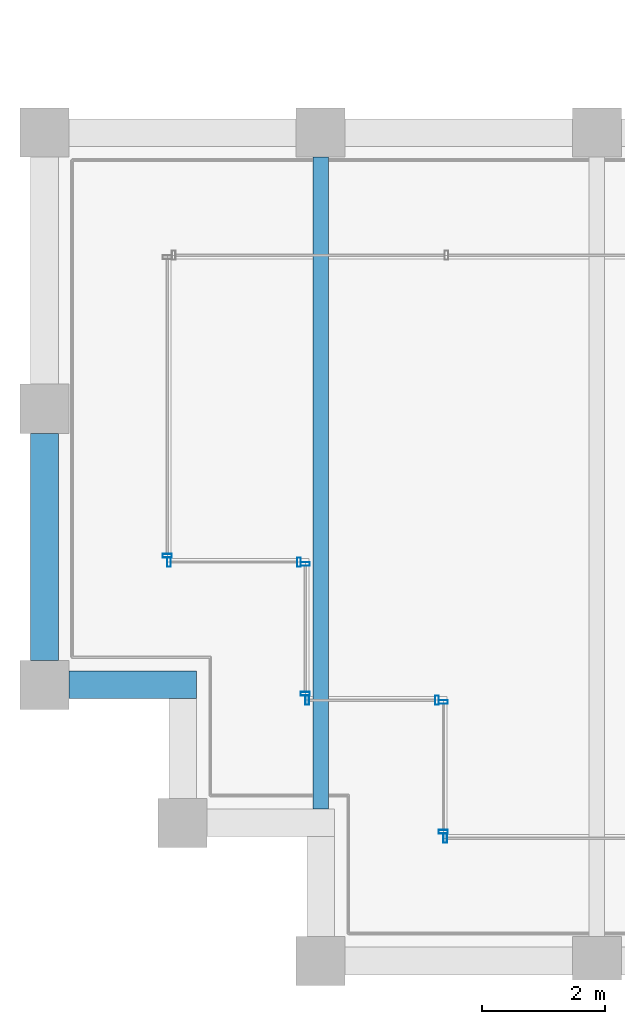
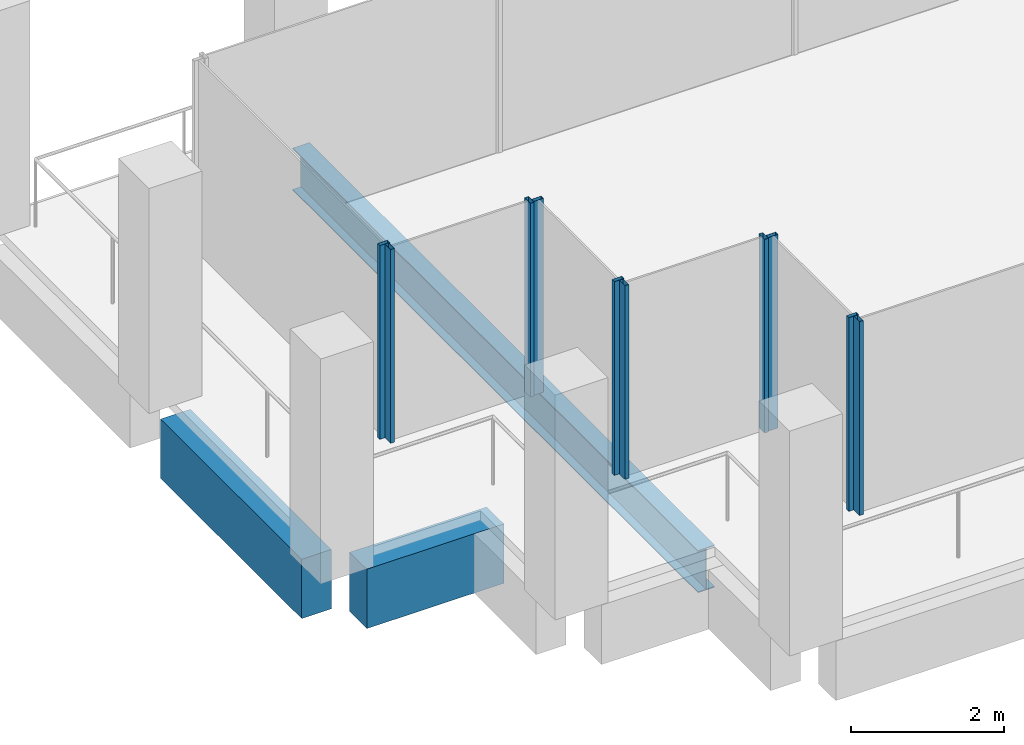
# One storey, part 2 of 30: 10 members, 3 beams, 6 elements without a shape of their own.
"""IFC4 building model written with IfcOpenShell, lengths in metres."""

from ifc_helpers import new_model, si_unit, direction, frame, origin, origin_2d, place, context, subcontext, project, spatial, rectangle, hollow_rectangle, i_section, extrude, material, material_profile, profile_set, type_object, element, aggregate, save


model = new_model("IFC4")

# Units and contexts
model_context = context("Model", 3, precision=1e-05, world=origin(), true_north=direction((0.0, 1.0)))
body_context = subcontext(model_context, "Body", "Model", "MODEL_VIEW")
ifc_project = project(units=[si_unit("LENGTHUNIT", "METRE"), si_unit("AREAUNIT", "SQUARE_METRE"), si_unit("VOLUMEUNIT", "CUBIC_METRE"), si_unit("PLANEANGLEUNIT", "RADIAN"), si_unit("MASSUNIT", "GRAM", prefix="KILO")], contexts=[model_context])

# Site, building, storey
site_placement = place(None, origin())
site = spatial("IfcSite", under=ifc_project, at=site_placement, CompositionType="ELEMENT")
building_placement = place(site_placement, origin())
building = spatial("IfcBuilding", under=site, at=building_placement, Name="Altepetl Exchange Towers", CompositionType="ELEMENT")
storey_placement = place(building_placement, frame((0.0, 0.0, 213.60009765625)))
storey = spatial("IfcBuildingStorey", under=building, at=storey_placement, Name="L54", CompositionType="ELEMENT", Elevation=213.60009765625)

# Beam
ifc_material_1 = material(Name="Steel S355", Category="steel")
ifc_material_profile_1 = material_profile(ifc_material_1, i_section(OverallWidth=0.2529296875, OverallDepth=0.677978515625, WebThickness=0.01171875, FlangeThickness=0.016357421875, at=origin_2d()), Name="W27X84")
ifc_profile_set_1 = profile_set([ifc_material_profile_1], Name="Steel S355")
beam_type_1 = type_object("IfcBeamType", Name="Floor beam W27X84", PredefinedType="BEAM", material=ifc_profile_set_1)
beam_1_placement = place(storey_placement, frame((31.5, 29.47509765625, -0.489013671875), z_axis=(0.0, 1.0, 0.0), x_axis=(-1.0, 0.0, 0.0)))
element("IfcBeam", 1, at=beam_1_placement, inside=storey, type_object=beam_type_1, Name="bm:A:L54:012", PredefinedType="BEAM", context=body_context, shape_type="SweptSolid", body=[
    extrude(i_section(OverallWidth=0.2529296875, OverallDepth=0.677978515625, WebThickness=0.01171875, FlangeThickness=0.016357421875, at=origin_2d()), origin(), (0.0, 0.0, 1.0), 10.625),
])

# Curtain wall, member
ifc_material_2 = material(Name="Aluminium 6063-T6 glazing", Category="aluminium")
curtain_wall_type = type_object("IfcCurtainWallType", Name="Loggia glazing system", PredefinedType="NOTDEFINED", material=ifc_material_2)
curtain_wall_1_placement = place(storey_placement, origin())
curtain_wall_1 = element("IfcCurtainWall", 2, at=curtain_wall_1_placement, inside=storey, type_object=curtain_wall_type, Name="CW1 run", PredefinedType="NOTDEFINED")
ifc_material_3 = material(Name="Aluminium 6063-T6", Category="aluminium")
ifc_material_profile_2 = material_profile(ifc_material_3, hollow_rectangle(XDim=0.06005859375, YDim=0.14990234375, WallThickness=0.0029296875, at=origin_2d()), Name="Mullion 60x150 aluminium")
ifc_profile_set_2 = profile_set([ifc_material_profile_2], Name="Aluminium 6063-T6")
member_type = type_object("IfcMemberType", Name="Mullion 60x150 aluminium", PredefinedType="MULLION", material=ifc_profile_set_2)
member_1_placement = place(storey_placement, frame((29.0, 33.60498046875, 0.0), z_axis=(0.0, 0.0, 1.0), x_axis=(0.0, -1.0, 0.0)))
member_1 = element("IfcMember", 3, at=member_1_placement, type_object=member_type, Name="MU1 mullion", PredefinedType="MULLION", context=body_context, shape_type="SweptSolid", body=[
    extrude(hollow_rectangle(XDim=0.06005859375, YDim=0.14990234375, WallThickness=0.0029296875, at=origin_2d()), origin(), (0.0, 0.0, 1.0), 3.099853515625),
])
aggregate(curtain_wall_1, [member_1])

# Curtain wall, members
curtain_wall_2_placement = place(storey_placement, origin())
curtain_wall_2 = element("IfcCurtainWall", 4, at=curtain_wall_2_placement, inside=storey, type_object=curtain_wall_type, Name="CW1 run", PredefinedType="NOTDEFINED")
member_2_placement = place(storey_placement, frame((29.030029296875, 33.5, 0.0)))
member_2 = element("IfcMember", 5, at=member_2_placement, type_object=member_type, Name="MU1 mullion", PredefinedType="MULLION", context=body_context, shape_type="SweptSolid", body=[
    extrude(hollow_rectangle(XDim=0.06005859375, YDim=0.14990234375, WallThickness=0.0029296875, at=origin_2d()), origin(), (0.0, 0.0, 1.0), 3.099853515625),
])
member_3_placement = place(storey_placement, frame((31.14501953125, 33.5, 0.0)))
member_3 = element("IfcMember", 6, at=member_3_placement, type_object=member_type, Name="MU1 mullion", PredefinedType="MULLION", context=body_context, shape_type="SweptSolid", body=[
    extrude(hollow_rectangle(XDim=0.06005859375, YDim=0.14990234375, WallThickness=0.0029296875, at=origin_2d()), origin(), (0.0, 0.0, 1.0), 3.099853515625),
])
aggregate(curtain_wall_2, [member_2, member_3])

curtain_wall_3_placement = place(storey_placement, origin())
curtain_wall_3 = element("IfcCurtainWall", 7, at=curtain_wall_3_placement, inside=storey, type_object=curtain_wall_type, Name="CW1 run", PredefinedType="NOTDEFINED")
member_4_placement = place(storey_placement, frame((31.25, 33.469970703125, 0.0), z_axis=(0.0, 0.0, 1.0), x_axis=(0.0, -1.0, 0.0)))
member_4 = element("IfcMember", 8, at=member_4_placement, type_object=member_type, Name="MU1 mullion", PredefinedType="MULLION", context=body_context, shape_type="SweptSolid", body=[
    extrude(hollow_rectangle(XDim=0.06005859375, YDim=0.14990234375, WallThickness=0.0029296875, at=origin_2d()), origin(), (0.0, 0.0, 1.0), 3.099853515625),
])
member_5_placement = place(storey_placement, frame((31.25, 31.35498046875, 0.0), z_axis=(0.0, 0.0, 1.0), x_axis=(0.0, -1.0, 0.0)))
member_5 = element("IfcMember", 9, at=member_5_placement, type_object=member_type, Name="MU1 mullion", PredefinedType="MULLION", context=body_context, shape_type="SweptSolid", body=[
    extrude(hollow_rectangle(XDim=0.06005859375, YDim=0.14990234375, WallThickness=0.0029296875, at=origin_2d()), origin(), (0.0, 0.0, 1.0), 3.099853515625),
])
aggregate(curtain_wall_3, [member_4, member_5])

curtain_wall_4_placement = place(storey_placement, origin())
curtain_wall_4 = element("IfcCurtainWall", 10, at=curtain_wall_4_placement, inside=storey, type_object=curtain_wall_type, Name="CW1 run", PredefinedType="NOTDEFINED")
member_6_placement = place(storey_placement, frame((31.280029296875, 31.25, 0.0)))
member_6 = element("IfcMember", 11, at=member_6_placement, type_object=member_type, Name="MU1 mullion", PredefinedType="MULLION", context=body_context, shape_type="SweptSolid", body=[
    extrude(hollow_rectangle(XDim=0.06005859375, YDim=0.14990234375, WallThickness=0.0029296875, at=origin_2d()), origin(), (0.0, 0.0, 1.0), 3.099853515625),
])
member_7_placement = place(storey_placement, frame((33.39501953125, 31.25, 0.0)))
member_7 = element("IfcMember", 12, at=member_7_placement, type_object=member_type, Name="MU1 mullion", PredefinedType="MULLION", context=body_context, shape_type="SweptSolid", body=[
    extrude(hollow_rectangle(XDim=0.06005859375, YDim=0.14990234375, WallThickness=0.0029296875, at=origin_2d()), origin(), (0.0, 0.0, 1.0), 3.099853515625),
])
aggregate(curtain_wall_4, [member_6, member_7])

curtain_wall_5_placement = place(storey_placement, origin())
curtain_wall_5 = element("IfcCurtainWall", 13, at=curtain_wall_5_placement, inside=storey, type_object=curtain_wall_type, Name="CW1 run", PredefinedType="NOTDEFINED")
member_8_placement = place(storey_placement, frame((33.5, 31.219970703125, 0.0), z_axis=(0.0, 0.0, 1.0), x_axis=(0.0, -1.0, 0.0)))
member_8 = element("IfcMember", 14, at=member_8_placement, type_object=member_type, Name="MU1 mullion", PredefinedType="MULLION", context=body_context, shape_type="SweptSolid", body=[
    extrude(hollow_rectangle(XDim=0.06005859375, YDim=0.14990234375, WallThickness=0.0029296875, at=origin_2d()), origin(), (0.0, 0.0, 1.0), 3.099853515625),
])
member_9_placement = place(storey_placement, frame((33.5, 29.10498046875, 0.0), z_axis=(0.0, 0.0, 1.0), x_axis=(0.0, -1.0, 0.0)))
member_9 = element("IfcMember", 15, at=member_9_placement, type_object=member_type, Name="MU1 mullion", PredefinedType="MULLION", context=body_context, shape_type="SweptSolid", body=[
    extrude(hollow_rectangle(XDim=0.06005859375, YDim=0.14990234375, WallThickness=0.0029296875, at=origin_2d()), origin(), (0.0, 0.0, 1.0), 3.099853515625),
])
aggregate(curtain_wall_5, [member_8, member_9])

# Curtain wall, member
curtain_wall_6_placement = place(storey_placement, origin())
curtain_wall_6 = element("IfcCurtainWall", 16, at=curtain_wall_6_placement, inside=storey, type_object=curtain_wall_type, Name="CW1 run", PredefinedType="NOTDEFINED")
member_10_placement = place(storey_placement, frame((33.530029296875, 29.0, 0.0)))
member_10 = element("IfcMember", 17, at=member_10_placement, type_object=member_type, Name="MU1 mullion", PredefinedType="MULLION", context=body_context, shape_type="SweptSolid", body=[
    extrude(hollow_rectangle(XDim=0.06005859375, YDim=0.14990234375, WallThickness=0.0029296875, at=origin_2d()), origin(), (0.0, 0.0, 1.0), 3.099853515625),
])
aggregate(curtain_wall_6, [member_10])

# Beams
ifc_material_4 = material(Name="Concrete C50/60 precast with cantera blanca facing", Category="concrete")
ifc_material_profile_3 = material_profile(ifc_material_4, rectangle(XDim=0.449951171875, YDim=0.949951171875, at=origin_2d()), Name="450 x 950")
ifc_profile_set_3 = profile_set([ifc_material_profile_3], Name="Concrete C50/60 precast with cantera blanca facing")
beam_type_2 = type_object("IfcBeamType", Name="Spandrel beam 450x950 cantera blanca", PredefinedType="SPANDREL", material=ifc_profile_set_3)
beam_2_placement = place(storey_placement, frame((27.0, 35.60009765625, -0.625), z_axis=(0.0, -1.0, 0.0), x_axis=(1.0, 0.0, 0.0)))
element("IfcBeam", 18, at=beam_2_placement, inside=storey, type_object=beam_type_2, Name="sp:A:L54:037", PredefinedType="SPANDREL", context=body_context, shape_type="SweptSolid", body=[
    extrude(rectangle(XDim=0.449951171875, YDim=0.949951171875, at=origin_2d()), origin(), (0.0, 0.0, 1.0), 3.7001953125),
])
beam_3_placement = place(storey_placement, frame((27.39990234375, 31.5, -0.625), z_axis=(1.0, 0.0, 0.0), x_axis=(0.0, 1.0, 0.0)))
element("IfcBeam", 19, at=beam_3_placement, inside=storey, type_object=beam_type_2, Name="sp:A:L54:038", PredefinedType="SPANDREL", context=body_context, shape_type="SweptSolid", body=[
    extrude(rectangle(XDim=0.449951171875, YDim=0.949951171875, at=origin_2d()), origin(), (0.0, 0.0, 1.0), 2.0751953125),
])

save(model, "model.ifc")
